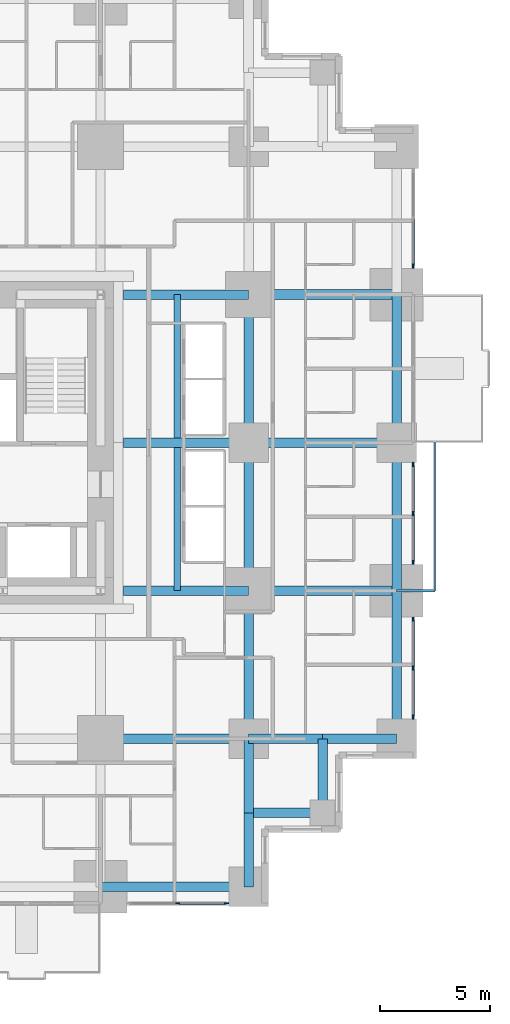
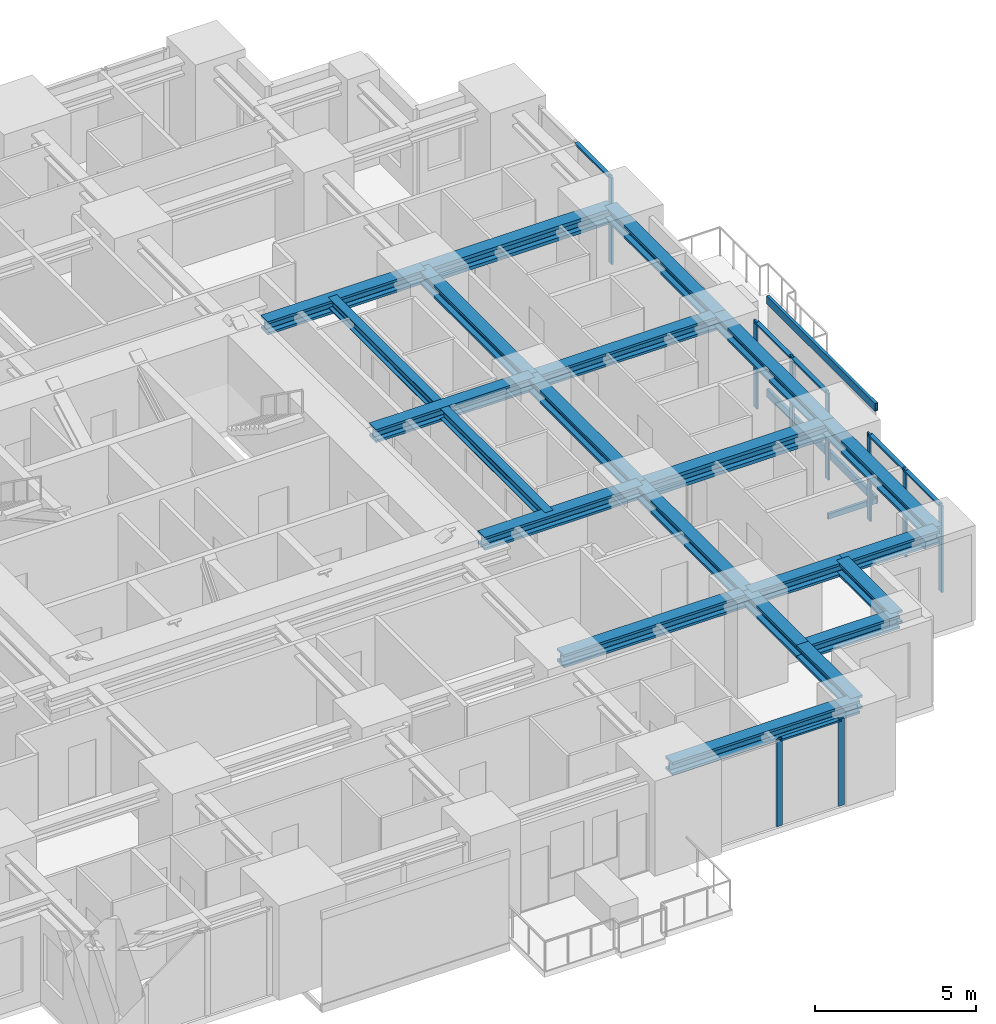
# One storey, part 4 of 15: 22 beams, 18 members, 4 elements without a shape of their own.
"""IFC4 building model written with IfcOpenShell, lengths in metres."""

from ifc_helpers import new_model, si_unit, direction, frame, origin, origin_2d, place, context, subcontext, project, spatial, rectangle, hollow_rectangle, i_section, extrude, material, material_profile, profile_set, type_object, element, aggregate, save


model = new_model("IFC4")

# Units and contexts
model_context = context("Model", 3, precision=1e-05, world=origin(), true_north=direction((0.0, 1.0)))
body_context = subcontext(model_context, "Body", "Model", "MODEL_VIEW")
ifc_project = project(units=[si_unit("LENGTHUNIT", "METRE"), si_unit("AREAUNIT", "SQUARE_METRE"), si_unit("VOLUMEUNIT", "CUBIC_METRE"), si_unit("PLANEANGLEUNIT", "RADIAN"), si_unit("MASSUNIT", "GRAM", prefix="KILO")], contexts=[model_context])

# Site, building, storey
site_placement = place(None, origin())
site = spatial("IfcSite", under=ifc_project, at=site_placement, CompositionType="ELEMENT")
building_placement = place(site_placement, origin())
building = spatial("IfcBuilding", under=site, at=building_placement, Name="Nyansa Garden Tower", CompositionType="ELEMENT")
storey_placement = place(building_placement, frame((0.0, 0.0, 72.0)))
storey = spatial("IfcBuildingStorey", under=building, at=storey_placement, Name="L19", CompositionType="ELEMENT", Elevation=72.0)

# Curtain wall, members
ifc_material_1 = material(Name="Black anodised aluminium, dark tinted double glazing", Category="aluminium")
curtain_wall_type = type_object("IfcCurtainWallType", Name="Inner skin curtain wall ISW-A", PredefinedType="USERDEFINED", material=ifc_material_1)
curtain_wall_1_placement = place(storey_placement, origin())
curtain_wall_1 = element("IfcCurtainWall", 1, at=curtain_wall_1_placement, inside=storey, type_object=curtain_wall_type, Name="Inner skin curtain wall L19 E", ObjectType="UNITISED CURTAIN WALL", PredefinedType="USERDEFINED")
ifc_material_2 = material(Name="Black anodised aluminium", Category="aluminium")
ifc_material_profile_1 = material_profile(ifc_material_2, rectangle(XDim=0.06494140625, YDim=0.199951171875, at=origin_2d()), Name="Mullion 200x65")
ifc_profile_set_1 = profile_set([ifc_material_profile_1], Name="Black anodised aluminium")
member_type_1 = type_object("IfcMemberType", Name="Mullion ISW-A 200x65", PredefinedType="MULLION", material=ifc_profile_set_1)
member_1_placement = place(storey_placement, frame((41.25, 7.75, 0.0), z_axis=(0.0, 0.0, 1.0), x_axis=(-1.0, 0.0, 0.0)))
member_1 = element("IfcMember", 2, at=member_1_placement, type_object=member_type_1, Name="ISW-A mullion 1", PredefinedType="MULLION", context=body_context, shape_type="SweptSolid", body=[
    extrude(rectangle(XDim=0.06494140625, YDim=0.199951171875, at=origin_2d()), origin(), (0.0, 0.0, 1.0), 3.300048828125),
])
member_2_placement = place(storey_placement, frame((41.25, 9.97509765625, 0.0), z_axis=(0.0, 0.0, 1.0), x_axis=(-1.0, 0.0, 0.0)))
member_2 = element("IfcMember", 3, at=member_2_placement, type_object=member_type_1, Name="ISW-A mullion 2", PredefinedType="MULLION", context=body_context, shape_type="SweptSolid", body=[
    extrude(rectangle(XDim=0.06494140625, YDim=0.199951171875, at=origin_2d()), origin(), (0.0, 0.0, 1.0), 3.300048828125),
])
member_3_placement = place(storey_placement, frame((41.25, 12.199951171875, 0.0), z_axis=(0.0, 0.0, 1.0), x_axis=(-1.0, 0.0, 0.0)))
member_3 = element("IfcMember", 4, at=member_3_placement, type_object=member_type_1, Name="ISW-A mullion 3", PredefinedType="MULLION", context=body_context, shape_type="SweptSolid", body=[
    extrude(rectangle(XDim=0.06494140625, YDim=0.199951171875, at=origin_2d()), origin(), (0.0, 0.0, 1.0), 3.300048828125),
])

curtain_wall_2_placement = place(storey_placement, origin())
curtain_wall_2 = element("IfcCurtainWall", 5, at=curtain_wall_2_placement, inside=storey, type_object=curtain_wall_type, Name="Inner skin curtain wall L19 E", ObjectType="UNITISED CURTAIN WALL", PredefinedType="USERDEFINED")
member_4_placement = place(storey_placement, frame((41.25, 14.800048828125, 0.0), z_axis=(0.0, 0.0, 1.0), x_axis=(-1.0, 0.0, 0.0)))
member_4 = element("IfcMember", 6, at=member_4_placement, type_object=member_type_1, Name="ISW-A mullion 1", PredefinedType="MULLION", context=body_context, shape_type="SweptSolid", body=[
    extrude(rectangle(XDim=0.06494140625, YDim=0.199951171875, at=origin_2d()), origin(), (0.0, 0.0, 1.0), 3.300048828125),
])
member_5_placement = place(storey_placement, frame((41.25, 17.02490234375, 0.0), z_axis=(0.0, 0.0, 1.0), x_axis=(-1.0, 0.0, 0.0)))
member_5 = element("IfcMember", 7, at=member_5_placement, type_object=member_type_1, Name="ISW-A mullion 2", PredefinedType="MULLION", context=body_context, shape_type="SweptSolid", body=[
    extrude(rectangle(XDim=0.06494140625, YDim=0.199951171875, at=origin_2d()), origin(), (0.0, 0.0, 1.0), 3.300048828125),
])
member_6_placement = place(storey_placement, frame((41.25, 19.25, 0.0), z_axis=(0.0, 0.0, 1.0), x_axis=(-1.0, 0.0, 0.0)))
member_6 = element("IfcMember", 8, at=member_6_placement, type_object=member_type_1, Name="ISW-A mullion 3", PredefinedType="MULLION", context=body_context, shape_type="SweptSolid", body=[
    extrude(rectangle(XDim=0.06494140625, YDim=0.199951171875, at=origin_2d()), origin(), (0.0, 0.0, 1.0), 3.300048828125),
])

# Curtain wall, member
curtain_wall_3_placement = place(storey_placement, origin())
curtain_wall_3 = element("IfcCurtainWall", 9, at=curtain_wall_3_placement, inside=storey, type_object=curtain_wall_type, Name="Inner skin curtain wall L19 E", ObjectType="UNITISED CURTAIN WALL", PredefinedType="USERDEFINED")
member_7_placement = place(storey_placement, frame((41.25, 28.300048828125, 0.0), z_axis=(0.0, 0.0, 1.0), x_axis=(-1.0, 0.0, 0.0)))
member_7 = element("IfcMember", 10, at=member_7_placement, type_object=member_type_1, Name="ISW-A mullion 1", PredefinedType="MULLION", context=body_context, shape_type="SweptSolid", body=[
    extrude(rectangle(XDim=0.06494140625, YDim=0.199951171875, at=origin_2d()), origin(), (0.0, 0.0, 1.0), 3.300048828125),
])

# Curtain wall, members
curtain_wall_4_placement = place(storey_placement, origin())
curtain_wall_4 = element("IfcCurtainWall", 11, at=curtain_wall_4_placement, inside=storey, type_object=curtain_wall_type, Name="Inner skin curtain wall L19 S", ObjectType="UNITISED CURTAIN WALL", PredefinedType="USERDEFINED")
member_8_placement = place(storey_placement, frame((30.52490234375, -0.75, 0.0), z_axis=(0.0, 0.0, 1.0), x_axis=(0.0, 1.0, 0.0)))
member_8 = element("IfcMember", 12, at=member_8_placement, type_object=member_type_1, Name="ISW-A mullion 2", PredefinedType="MULLION", context=body_context, shape_type="SweptSolid", body=[
    extrude(rectangle(XDim=0.06494140625, YDim=0.199951171875, at=origin_2d()), origin(), (0.0, 0.0, 1.0), 3.300048828125),
])
member_9_placement = place(storey_placement, frame((32.75, -0.75, 0.0), z_axis=(0.0, 0.0, 1.0), x_axis=(0.0, 1.0, 0.0)))
member_9 = element("IfcMember", 13, at=member_9_placement, type_object=member_type_1, Name="ISW-A mullion 3", PredefinedType="MULLION", context=body_context, shape_type="SweptSolid", body=[
    extrude(rectangle(XDim=0.06494140625, YDim=0.199951171875, at=origin_2d()), origin(), (0.0, 0.0, 1.0), 3.300048828125),
])

# Members
ifc_material_3 = material(Name="Steel S355, black powder coated", Category="steel")
ifc_material_profile_2 = material_profile(ifc_material_3, hollow_rectangle(XDim=0.10009765625, YDim=0.199951171875, WallThickness=0.008056640625, at=origin_2d()), Name="RHS 200x100x8")
ifc_profile_set_2 = profile_set([ifc_material_profile_2], Name="Steel S355, black powder coated")
member_type_2 = type_object("IfcMemberType", Name="Outer skin bracket arm RHS 200x100x8", PredefinedType="USERDEFINED", material=ifc_profile_set_2)
member_10_placement = place(storey_placement, frame((40.5, 13.5, -0.375), z_axis=(1.0, 0.0, 0.0), x_axis=(0.0, 1.0, 0.0)))
element("IfcMember", 14, at=member_10_placement, inside=storey, type_object=member_type_2, Name="Outer skin bracket arm", ObjectType="OUTER SKIN BRACKET", PredefinedType="USERDEFINED", context=body_context, shape_type="SweptSolid", body=[
    extrude(hollow_rectangle(XDim=0.10009765625, YDim=0.199951171875, WallThickness=0.008056640625, at=origin_2d()), origin(), (0.0, 0.0, 1.0), 1.75),
])
ifc_material_4 = material(Name="Steel S355, black powder coated", Category="steel")
ifc_material_profile_3 = material_profile(ifc_material_4, hollow_rectangle(XDim=0.10009765625, YDim=0.300048828125, WallThickness=0.010009765625, at=origin_2d()), Name="RHS 300x100x10")
ifc_profile_set_3 = profile_set([ifc_material_profile_3], Name="Steel S355, black powder coated")
member_type_3 = type_object("IfcMemberType", Name="Outer skin rail RHS 300x100x10", PredefinedType="USERDEFINED", material=ifc_profile_set_3)
for number, where, z_axis, x_axis, name in (
    (15, (42.25, 13.5, -0.375), (0.0, 1.0, 0.0), (-1.0, 0.0, 0.0), "Outer skin rail L19"),
    (16, (42.25, 13.5, 3.14990234375), (0.0, 1.0, 0.0), (-1.0, 0.0, 0.0), "Outer skin rail L19 head"),
):
    element("IfcMember", number, at=place(storey_placement, frame(where, z_axis=z_axis, x_axis=x_axis)), inside=storey, type_object=member_type_3, Name=name, ObjectType="OUTER SKIN RAIL", PredefinedType="USERDEFINED", context=body_context, shape_type="SweptSolid", body=[
        extrude(hollow_rectangle(XDim=0.10009765625, YDim=0.300048828125, WallThickness=0.010009765625, at=origin_2d()), origin(), (0.0, 0.0, 1.0), 6.75),
    ])

# Beams
ifc_material_5 = material(Name="Steel S355", Category="steel")
ifc_material_profile_4 = material_profile(ifc_material_5, i_section(OverallWidth=0.431884765625, OverallDepth=0.498046875, WebThickness=0.0556640625, FlangeThickness=0.0888671875, FilletRadius=0.014892578125, at=origin_2d()), Name="HD 400x744")
ifc_profile_set_4 = profile_set([ifc_material_profile_4], Name="Steel S355")
beam_type_1 = type_object("IfcBeamType", Name="Steel beam SBA2-744 HD 400x744", PredefinedType="BEAM", material=ifc_profile_set_4)
beam_1_placement = place(storey_placement, frame((27.0, 6.75, 3.051025390625), z_axis=(1.0, 0.0, 0.0), x_axis=(0.0, 1.0, 0.0)))
element("IfcBeam", 17, at=beam_1_placement, inside=storey, type_object=beam_type_1, Name="Steel beam 6/E-7/E L20", PredefinedType="BEAM", context=body_context, shape_type="SweptSolid", body=[
    extrude(i_section(OverallWidth=0.431884765625, OverallDepth=0.498046875, WebThickness=0.0556640625, FlangeThickness=0.0888671875, FilletRadius=0.014892578125, at=origin_2d()), origin(), (0.0, 0.0, 1.0), 6.75),
])
beam_2_placement = place(storey_placement, frame((28.050048828125, 20.25, 3.051025390625), z_axis=(1.0, 0.0, 0.0), x_axis=(0.0, 1.0, 0.0)))
element("IfcBeam", 18, at=beam_2_placement, inside=storey, type_object=beam_type_1, Name="Steel beam 28.050/G-7/G L20", PredefinedType="BEAM", context=body_context, shape_type="SweptSolid", body=[
    extrude(i_section(OverallWidth=0.431884765625, OverallDepth=0.498046875, WebThickness=0.0556640625, FlangeThickness=0.0888671875, FilletRadius=0.014892578125, at=origin_2d()), origin(), (0.0, 0.0, 1.0), 5.699951171875),
])
beam_3_placement = place(storey_placement, frame((33.75, 3.375, 3.051025390625), z_axis=(0.0, 1.0, 0.0), x_axis=(-1.0, 0.0, 0.0)))
element("IfcBeam", 19, at=beam_3_placement, inside=storey, type_object=beam_type_1, Name="Steel beam 7/3.375-7/E L20", PredefinedType="BEAM", context=body_context, shape_type="SweptSolid", body=[
    extrude(i_section(OverallWidth=0.431884765625, OverallDepth=0.498046875, WebThickness=0.0556640625, FlangeThickness=0.0888671875, FilletRadius=0.014892578125, at=origin_2d()), origin(), (0.0, 0.0, 1.0), 3.375),
])
beam_4_placement = place(storey_placement, frame((33.75, 6.75, 3.051025390625), z_axis=(0.0, 1.0, 0.0), x_axis=(-1.0, 0.0, 0.0)))
element("IfcBeam", 20, at=beam_4_placement, inside=storey, type_object=beam_type_1, Name="Steel beam 7/E-7/F L20", PredefinedType="BEAM", context=body_context, shape_type="SweptSolid", body=[
    extrude(i_section(OverallWidth=0.431884765625, OverallDepth=0.498046875, WebThickness=0.0556640625, FlangeThickness=0.0888671875, FilletRadius=0.014892578125, at=origin_2d()), origin(), (0.0, 0.0, 1.0), 6.75),
])
beam_5_placement = place(storey_placement, frame((33.75, 6.75, 3.051025390625), z_axis=(1.0, 0.0, 0.0), x_axis=(0.0, 1.0, 0.0)))
element("IfcBeam", 21, at=beam_5_placement, inside=storey, type_object=beam_type_1, Name="Steel beam 7/E-37.125/E L20", PredefinedType="BEAM", context=body_context, shape_type="SweptSolid", body=[
    extrude(i_section(OverallWidth=0.431884765625, OverallDepth=0.498046875, WebThickness=0.0556640625, FlangeThickness=0.0888671875, FilletRadius=0.014892578125, at=origin_2d()), origin(), (0.0, 0.0, 1.0), 3.375),
])
for number, where, z_axis, x_axis, name in (
    (22, (33.75, 13.5, 3.051025390625), (0.0, 1.0, 0.0), (-1.0, 0.0, 0.0), "Steel beam 7/F-7/G L20"),
    (23, (33.75, 20.25, 3.051025390625), (0.0, 1.0, 0.0), (-1.0, 0.0, 0.0), "Steel beam 7/G-7/H L20"),
    (24, (33.75, 20.25, 3.051025390625), (1.0, 0.0, 0.0), (0.0, 1.0, 0.0), "Steel beam 7/G-8/G L20"),
):
    element("IfcBeam", number, at=place(storey_placement, frame(where, z_axis=z_axis, x_axis=x_axis)), inside=storey, type_object=beam_type_1, Name=name, PredefinedType="BEAM", context=body_context, shape_type="SweptSolid", body=[
        extrude(i_section(OverallWidth=0.431884765625, OverallDepth=0.498046875, WebThickness=0.0556640625, FlangeThickness=0.0888671875, FilletRadius=0.014892578125, at=origin_2d()), origin(), (0.0, 0.0, 1.0), 6.75),
    ])
ifc_material_6 = material(Name="Steel S355", Category="steel")
ifc_material_profile_5 = material_profile(ifc_material_6, i_section(OverallWidth=0.431884765625, OverallDepth=0.498046875, WebThickness=0.0556640625, FlangeThickness=0.0888671875, FilletRadius=0.014892578125, at=origin_2d()), Name="HD 400x744")
ifc_profile_set_5 = profile_set([ifc_material_profile_5], Name="Steel S355")
beam_type_2 = type_object("IfcBeamType", Name="Steel beam SEBA-744 HD 400x744", PredefinedType="BEAM", material=ifc_profile_set_5)
for number, where, z_axis, x_axis, name in (
    (25, (27.0, 0.0, 3.051025390625), (1.0, 0.0, 0.0), (0.0, 1.0, 0.0), "Steel edge beam 6/D-7/D L20"),
    (26, (40.5, 6.75, 3.051025390625), (0.0, 1.0, 0.0), (-1.0, 0.0, 0.0), "Steel edge beam 8/E-8/F L20"),
    (27, (40.5, 13.5, 3.051025390625), (0.0, 1.0, 0.0), (-1.0, 0.0, 0.0), "Steel edge beam 8/F-8/G L20"),
    (28, (40.5, 20.25, 3.051025390625), (0.0, 1.0, 0.0), (-1.0, 0.0, 0.0), "Steel edge beam 8/G-8/H L20"),
):
    element("IfcBeam", number, at=place(storey_placement, frame(where, z_axis=z_axis, x_axis=x_axis)), inside=storey, type_object=beam_type_2, Name=name, PredefinedType="BEAM", context=body_context, shape_type="SweptSolid", body=[
        extrude(i_section(OverallWidth=0.431884765625, OverallDepth=0.498046875, WebThickness=0.0556640625, FlangeThickness=0.0888671875, FilletRadius=0.014892578125, at=origin_2d()), origin(), (0.0, 0.0, 1.0), 6.75),
    ])
ifc_material_7 = material(Name="Steel S355", Category="steel")
ifc_material_profile_6 = material_profile(ifc_material_7, i_section(OverallWidth=0.431884765625, OverallDepth=0.498046875, WebThickness=0.0556640625, FlangeThickness=0.0888671875, FilletRadius=0.014892578125, at=origin_2d()), Name="HD 400x744")
ifc_profile_set_6 = profile_set([ifc_material_profile_6], Name="Steel S355")
beam_type_3 = type_object("IfcBeamType", Name="Steel beam SEBA2-744 HD 400x744", PredefinedType="BEAM", material=ifc_profile_set_6)
for number, where, z_axis, x_axis, name in (
    (29, (33.75, 0.0, 3.051025390625), (0.0, 1.0, 0.0), (-1.0, 0.0, 0.0), "Steel edge beam 7/D-7/3.375 L20"),
    (30, (37.125, 6.75, 3.051025390625), (1.0, 0.0, 0.0), (0.0, 1.0, 0.0), "Steel edge beam 37.125/E-8/E L20"),
):
    element("IfcBeam", number, at=place(storey_placement, frame(where, z_axis=z_axis, x_axis=x_axis)), inside=storey, type_object=beam_type_3, Name=name, PredefinedType="BEAM", context=body_context, shape_type="SweptSolid", body=[
        extrude(i_section(OverallWidth=0.431884765625, OverallDepth=0.498046875, WebThickness=0.0556640625, FlangeThickness=0.0888671875, FilletRadius=0.014892578125, at=origin_2d()), origin(), (0.0, 0.0, 1.0), 3.375),
    ])
ifc_material_8 = material(Name="Steel S355", Category="steel")
ifc_material_profile_7 = material_profile(ifc_material_8, i_section(OverallWidth=0.4541015625, OverallDepth=0.569091796875, WebThickness=0.077880859375, FlangeThickness=0.125, FilletRadius=0.014892578125, at=origin_2d()), Name="HD 400x1086")
ifc_profile_set_7 = profile_set([ifc_material_profile_7], Name="Steel S355")
beam_type_4 = type_object("IfcBeamType", Name="Steel beam SOC1-1086 HD 400x1086", PredefinedType="BEAM", material=ifc_profile_set_7)
for number, where, z_axis, x_axis, name in (
    (31, (33.75, 13.5, 3.015380859375), (1.0, 0.0, 0.0), (0.0, 1.0, 0.0), "Steel beam 7/F-8/F L20"),
    (32, (33.75, 27.0, 3.015380859375), (1.0, 0.0, 0.0), (0.0, 1.0, 0.0), "Steel beam 7/H-8/H L20"),
):
    element("IfcBeam", number, at=place(storey_placement, frame(where, z_axis=z_axis, x_axis=x_axis)), inside=storey, type_object=beam_type_4, Name=name, PredefinedType="BEAM", context=body_context, shape_type="SweptSolid", body=[
        extrude(i_section(OverallWidth=0.4541015625, OverallDepth=0.569091796875, WebThickness=0.077880859375, FlangeThickness=0.125, FilletRadius=0.014892578125, at=origin_2d()), origin(), (0.0, 0.0, 1.0), 6.75),
    ])
ifc_material_9 = material(Name="Steel S355", Category="steel")
ifc_material_profile_8 = material_profile(ifc_material_9, i_section(OverallWidth=0.431884765625, OverallDepth=0.498046875, WebThickness=0.0556640625, FlangeThickness=0.0888671875, FilletRadius=0.014892578125, at=origin_2d()), Name="HD 400x744")
ifc_profile_set_8 = profile_set([ifc_material_profile_8], Name="Steel S355")
beam_type_5 = type_object("IfcBeamType", Name="Steel beam SOC1-744 HD 400x744", PredefinedType="BEAM", material=ifc_profile_set_8)
for number, where, z_axis, x_axis, name in (
    (33, (28.050048828125, 13.5, 3.051025390625), (1.0, 0.0, 0.0), (0.0, 1.0, 0.0), "Steel beam 28.050/F-7/F L20"),
    (34, (28.050048828125, 27.0, 3.051025390625), (1.0, 0.0, 0.0), (0.0, 1.0, 0.0), "Steel beam 28.050/H-7/H L20"),
):
    element("IfcBeam", number, at=place(storey_placement, frame(where, z_axis=z_axis, x_axis=x_axis)), inside=storey, type_object=beam_type_5, Name=name, PredefinedType="BEAM", context=body_context, shape_type="SweptSolid", body=[
        extrude(i_section(OverallWidth=0.431884765625, OverallDepth=0.498046875, WebThickness=0.0556640625, FlangeThickness=0.0888671875, FilletRadius=0.014892578125, at=origin_2d()), origin(), (0.0, 0.0, 1.0), 5.699951171875),
    ])
ifc_material_10 = material(Name="Steel S355", Category="steel")
ifc_material_profile_9 = material_profile(ifc_material_10, i_section(OverallWidth=0.431884765625, OverallDepth=0.498046875, WebThickness=0.0556640625, FlangeThickness=0.0888671875, FilletRadius=0.014892578125, at=origin_2d()), Name="HD 400x744")
ifc_profile_set_9 = profile_set([ifc_material_profile_9], Name="Steel S355")
beam_type_6 = type_object("IfcBeamType", Name="Steel beam SSB1-744 HD 400x744", PredefinedType="BEAM", material=ifc_profile_set_9)
for number, where, z_axis, x_axis, name in (
    (35, (37.125, 3.375, 3.051025390625), (0.0, 1.0, 0.0), (-1.0, 0.0, 0.0), "Steel step beam 37.125/3.375 L20"),
    (36, (37.125, 3.375, 3.051025390625), (-1.0, 0.0, 0.0), (0.0, -1.0, 0.0), "Steel step beam 37.125/3.375 L20"),
):
    element("IfcBeam", number, at=place(storey_placement, frame(where, z_axis=z_axis, x_axis=x_axis)), inside=storey, type_object=beam_type_6, Name=name, PredefinedType="BEAM", context=body_context, shape_type="SweptSolid", body=[
        extrude(i_section(OverallWidth=0.431884765625, OverallDepth=0.498046875, WebThickness=0.0556640625, FlangeThickness=0.0888671875, FilletRadius=0.014892578125, at=origin_2d()), origin(), (0.0, 0.0, 1.0), 3.375),
    ])

# Member
ifc_material_11 = material(Name="Black anodised aluminium", Category="aluminium")
ifc_material_profile_10 = material_profile(ifc_material_11, rectangle(XDim=0.14990234375, YDim=0.06494140625, at=origin_2d()), Name="Transom 150x65")
ifc_profile_set_10 = profile_set([ifc_material_profile_10], Name="Black anodised aluminium")
member_type_4 = type_object("IfcMemberType", Name="Transom ISW-A 150x65", PredefinedType="USERDEFINED", material=ifc_profile_set_10)
member_11_placement = place(storey_placement, frame((41.25, 7.782470703125, 3.267578125), z_axis=(0.0, 1.0, 0.0), x_axis=(-1.0, 0.0, 0.0)))
member_11 = element("IfcMember", 37, at=member_11_placement, type_object=member_type_4, Name="ISW-A transom 1", ObjectType="TRANSOM", PredefinedType="USERDEFINED", context=body_context, shape_type="SweptSolid", body=[
    extrude(rectangle(XDim=0.14990234375, YDim=0.06494140625, at=origin_2d()), origin(), (0.0, 0.0, 1.0), 2.159912109375),
])

member_12_placement = place(storey_placement, frame((41.25, 10.007568359375, 3.267578125), z_axis=(0.0, 1.0, 0.0), x_axis=(-1.0, 0.0, 0.0)))
member_12 = element("IfcMember", 38, at=member_12_placement, type_object=member_type_4, Name="ISW-A transom 2", ObjectType="TRANSOM", PredefinedType="USERDEFINED", context=body_context, shape_type="SweptSolid", body=[
    extrude(rectangle(XDim=0.14990234375, YDim=0.06494140625, at=origin_2d()), origin(), (0.0, 0.0, 1.0), 2.159912109375),
])

aggregate(curtain_wall_1, [member_1, member_2, member_3, member_11, member_12])

member_13_placement = place(storey_placement, frame((41.25, 14.83251953125, 3.267578125), z_axis=(0.0, 1.0, 0.0), x_axis=(-1.0, 0.0, 0.0)))
member_13 = element("IfcMember", 39, at=member_13_placement, type_object=member_type_4, Name="ISW-A transom 1", ObjectType="TRANSOM", PredefinedType="USERDEFINED", context=body_context, shape_type="SweptSolid", body=[
    extrude(rectangle(XDim=0.14990234375, YDim=0.06494140625, at=origin_2d()), origin(), (0.0, 0.0, 1.0), 2.159912109375),
])

member_14_placement = place(storey_placement, frame((41.25, 17.0576171875, 3.267578125), z_axis=(0.0, 1.0, 0.0), x_axis=(-1.0, 0.0, 0.0)))
member_14 = element("IfcMember", 40, at=member_14_placement, type_object=member_type_4, Name="ISW-A transom 2", ObjectType="TRANSOM", PredefinedType="USERDEFINED", context=body_context, shape_type="SweptSolid", body=[
    extrude(rectangle(XDim=0.14990234375, YDim=0.06494140625, at=origin_2d()), origin(), (0.0, 0.0, 1.0), 2.159912109375),
])

aggregate(curtain_wall_2, [member_4, member_5, member_6, member_13, member_14])

member_15_placement = place(storey_placement, frame((41.25, 28.33251953125, 3.267578125), z_axis=(0.0, 1.0, 0.0), x_axis=(-1.0, 0.0, 0.0)))
member_15 = element("IfcMember", 41, at=member_15_placement, type_object=member_type_4, Name="ISW-A transom 1", ObjectType="TRANSOM", PredefinedType="USERDEFINED", context=body_context, shape_type="SweptSolid", body=[
    extrude(rectangle(XDim=0.14990234375, YDim=0.06494140625, at=origin_2d()), origin(), (0.0, 0.0, 1.0), 2.10986328125),
])

aggregate(curtain_wall_3, [member_7, member_15])

member_16_placement = place(storey_placement, frame((30.5576171875, -0.75, 3.267578125), z_axis=(1.0, 0.0, 0.0), x_axis=(0.0, 1.0, 0.0)))
member_16 = element("IfcMember", 42, at=member_16_placement, type_object=member_type_4, Name="ISW-A transom 2", ObjectType="TRANSOM", PredefinedType="USERDEFINED", context=body_context, shape_type="SweptSolid", body=[
    extrude(rectangle(XDim=0.14990234375, YDim=0.06494140625, at=origin_2d()), origin(), (0.0, 0.0, 1.0), 2.159912109375),
])

aggregate(curtain_wall_4, [member_8, member_9, member_16])

# Beams
ifc_material_12 = material(Name="Steel S355", Category="steel")
ifc_material_profile_11 = material_profile(ifc_material_12, i_section(OverallWidth=0.300048828125, OverallDepth=0.39990234375, WebThickness=0.013427734375, FlangeThickness=0.02392578125, FilletRadius=0.027099609375, at=origin_2d()), Name="HE 400 B")
ifc_profile_set_11 = profile_set([ifc_material_profile_11], Name="Steel S355")
beam_type_7 = type_object("IfcBeamType", Name="Trimmer beam TR1 HE 400 B", PredefinedType="BEAM", material=ifc_profile_set_11)
for number, where, z_axis, x_axis, name in (
    (43, (30.5, 13.5, 3.10009765625), (0.0, 1.0, 0.0), (-1.0, 0.0, 0.0), "Trimmer beam 1 L20"),
    (44, (30.5, 20.466064453125, 3.10009765625), (0.0, 1.0, 0.0), (-1.0, 0.0, 0.0), "Trimmer beam 2 L20"),
):
    element("IfcBeam", number, at=place(storey_placement, frame(where, z_axis=z_axis, x_axis=x_axis)), inside=storey, type_object=beam_type_7, Name=name, PredefinedType="BEAM", context=body_context, shape_type="SweptSolid", body=[
        extrude(i_section(OverallWidth=0.300048828125, OverallDepth=0.39990234375, WebThickness=0.013427734375, FlangeThickness=0.02392578125, FilletRadius=0.027099609375, at=origin_2d()), origin(), (0.0, 0.0, 1.0), 6.533935546875),
    ])

save(model, "model.ifc")
